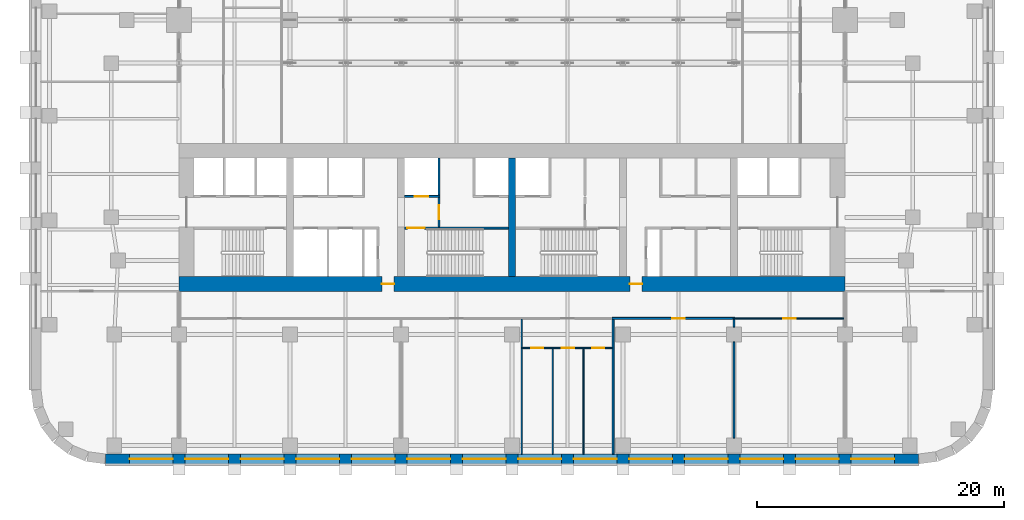
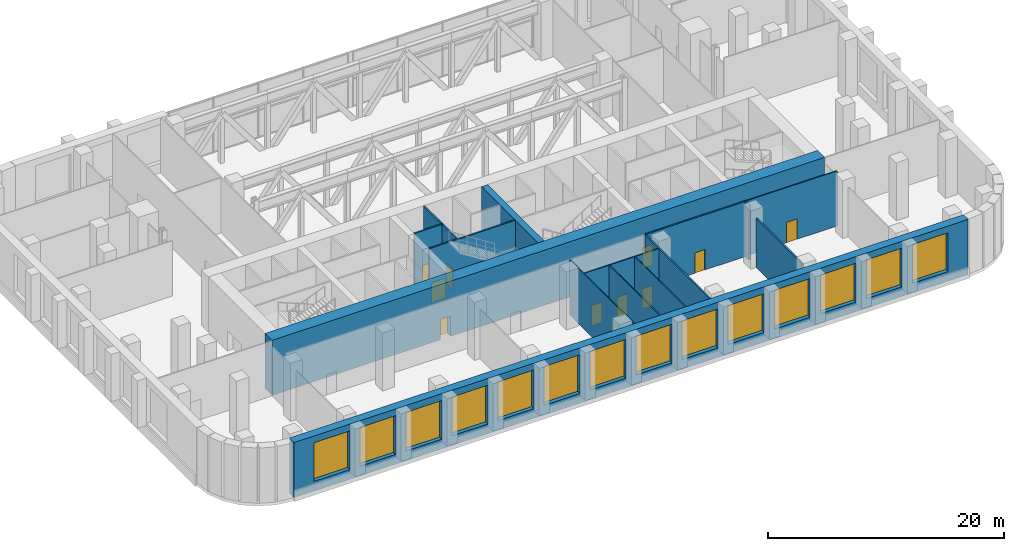
# One storey, part 6 of 13: 16 walls, 14 windows, 10 doors, 24 openings.
"""IFC4 building model written with IfcOpenShell, lengths in metres."""

from ifc_helpers import new_model, si_unit, direction, frame, frame_2d, origin, place, context, subcontext, project, spatial, rectangle, extrude, material, layer, layer_set, type_object, element, fill, save


model = new_model("IFC4")

# Units and contexts
model_context = context("Model", 3, precision=1e-05, world=origin(), true_north=direction((0.0, 1.0)))
body_context = subcontext(model_context, "Body", "Model", "MODEL_VIEW")
ifc_project = project(units=[si_unit("LENGTHUNIT", "METRE"), si_unit("AREAUNIT", "SQUARE_METRE"), si_unit("VOLUMEUNIT", "CUBIC_METRE"), si_unit("PLANEANGLEUNIT", "RADIAN"), si_unit("MASSUNIT", "GRAM", prefix="KILO")], contexts=[model_context])

# Site, building, storey
site_placement = place(None, origin())
site = spatial("IfcSite", under=ifc_project, at=site_placement, CompositionType="ELEMENT")
building_placement = place(site_placement, origin())
building = spatial("IfcBuilding", under=site, at=building_placement, Name="Zellij Exchange Tower", CompositionType="ELEMENT")
storey_placement = place(building_placement, frame((0.0, 0.0, 27.0)))
storey = spatial("IfcBuildingStorey", under=building, at=storey_placement, Name="L04", CompositionType="ELEMENT", Elevation=27.0)

# Wall
ifc_material_1 = material(Name="Concrete C70/85", Category="concrete")
ifc_layer_1 = layer(ifc_material_1, 0.60009765625)
ifc_layer_set_1 = layer_set([ifc_layer_1], Name="Concrete C70/85")
wall_type_1 = type_object("IfcWallType", Name="CORE-CW 600 C70/85", PredefinedType="SHEAR", material=ifc_layer_set_1)
wall_1_placement = place(storey_placement, frame((0.0, -12.800048828125, 0.0), z_axis=(0.0, 0.0, 1.0), x_axis=(0.0, 1.0, 0.0)))
element("IfcWall", 1, at=wall_1_placement, inside=storey, type_object=wall_type_1, Name="Core cross wall x 0 L04", PredefinedType="SHEAR", context=body_context, shape_type="SweptSolid", body=[
    extrude(rectangle(XDim=9.60009765625, YDim=0.60009765625, at=frame_2d((4.800048828125, 0.0))), origin(), (0.0, 0.0, 1.0), 5.699951171875),
])

# Wall, opening, door
ifc_material_2 = material(Name="Gypsum shaft wall system")
ifc_layer_2 = layer(ifc_material_2, 0.14990234375)
ifc_layer_set_2 = layer_set([ifc_layer_2], Name="Gypsum shaft wall system")
wall_type_2 = type_object("IfcWallType", Name="CORE-PW 150 Firefighting lobby wall", PredefinedType="PARTITIONING", material=ifc_layer_set_2)
wall_2_placement = place(storey_placement, frame((-5.925048828125, -8.800048828125, 0.0), z_axis=(0.0, 0.0, 1.0), x_axis=(0.0, 1.0, 0.0)))
wall_2 = element("IfcWall", 2, at=wall_2_placement, inside=storey, type_object=wall_type_2, Name="Firefighting lobby wall L04", PredefinedType="PARTITIONING", context=body_context, shape_type="SweptSolid", body=[
    extrude(rectangle(XDim=2.425048828125, YDim=0.14990234375, at=frame_2d((1.21240234375, 0.0))), origin(), (0.0, 0.0, 1.0), 5.699951171875),
])
opening_1_placement = place(wall_2_placement, frame((0.662109375, 0.0, 0.0)))
opening_1 = element("IfcOpeningElement", 3, at=opening_1_placement, cuts=wall_2, Name="Opening CA-05.14", PredefinedType="OPENING", context=body_context, shape_type="SweptSolid", body=[
    extrude(rectangle(XDim=1.10009765625, YDim=2.10009765625, at=frame_2d((0.550048828125, 1.050048828125))), frame((0.0, 0.0869140625, 0.0), z_axis=(0.0, -1.0, 0.0), x_axis=(1.0, 0.0, 0.0)), (0.0, 0.0, 1.0), 0.173828125),
])
ifc_material_3 = material(Name="Hollow metal fire door")
door_type_1 = type_object("IfcDoorType", Name="CORE-D F Firefighting lobby door 1100x2100 1 HR", OperationType="NOTDEFINED", PredefinedType="DOOR", material=ifc_material_3)
door_1_placement = place(opening_1_placement, origin())
door_1 = element("IfcDoor", 4, at=door_1_placement, inside=storey, type_object=door_type_1, Name="Firefighting lobby door CA-05.14", OperationType="SINGLE_SWING_LEFT", OverallHeight=2.10009765625, OverallWidth=1.10009765625, PredefinedType="DOOR", context=body_context, shape_type="SweptSolid", body=[
    extrude(rectangle(XDim=1.10009765625, YDim=2.10009765625, at=frame_2d((0.550048828125, 1.050048828125))), frame((0.0, 0.02490234375, 0.0), z_axis=(0.0, -1.0, 0.0), x_axis=(1.0, 0.0, 0.0)), (0.0, 0.0, 1.0), 0.050048828125),
])
fill(opening_1, door_1)

# Wall
ifc_layer_3 = layer(ifc_material_2, 0.14990234375)
ifc_layer_set_3 = layer_set([ifc_layer_3], Name="Gypsum shaft wall system")
wall_type_3 = type_object("IfcWallType", Name="CORE-PW 150 Lift shaft wall", PredefinedType="PARTITIONING", material=ifc_layer_set_3)
wall_3_placement = place(storey_placement, frame((-5.925048828125, -6.22509765625, 0.0), z_axis=(0.0, 0.0, 1.0), x_axis=(0.0, 1.0, 0.0)))
element("IfcWall", 5, at=wall_3_placement, inside=storey, type_object=wall_type_3, Name="Lift shaft wall L04", PredefinedType="PARTITIONING", context=body_context, shape_type="SweptSolid", body=[
    extrude(rectangle(XDim=3.025146484375, YDim=0.14990234375, at=frame_2d((1.5126953125, 0.0))), origin(), (0.0, 0.0, 1.0), 5.699951171875),
])

# Wall, opening, door
wall_4_placement = place(storey_placement, frame((-8.699951171875, -6.300048828125, 0.0), z_axis=(0.0, 0.0, 1.0), x_axis=(1.0, 0.0, 0.0)))
wall_4 = element("IfcWall", 6, at=wall_4_placement, inside=storey, type_object=wall_type_3, Name="Lift shaft wall L04", PredefinedType="PARTITIONING", context=body_context, shape_type="SweptSolid", body=[
    extrude(rectangle(XDim=2.849853515625, YDim=0.14990234375, at=frame_2d((1.4248046875, 0.0))), origin(), (0.0, 0.0, 1.0), 5.699951171875),
])
opening_2_placement = place(wall_4_placement, frame((0.800048828125, 0.0, 0.0)))
opening_2 = element("IfcOpeningElement", 7, at=opening_2_placement, cuts=wall_4, Name="Opening CA-05.13", PredefinedType="OPENING", context=body_context, shape_type="SweptSolid", body=[
    extrude(rectangle(XDim=1.10009765625, YDim=2.10009765625, at=frame_2d((0.550048828125, 1.050048828125))), frame((0.0, 0.0869140625, 0.0), z_axis=(0.0, -1.0, 0.0), x_axis=(1.0, 0.0, 0.0)), (0.0, 0.0, 1.0), 0.173828125),
])
door_type_2 = type_object("IfcDoorType", Name="CORE-D LD Lift landing door 1100x2100 1.5 HR", OperationType="NOTDEFINED", PredefinedType="DOOR", material=ifc_material_3)
door_2_placement = place(opening_2_placement, origin())
door_2 = element("IfcDoor", 8, at=door_2_placement, inside=storey, type_object=door_type_2, Name="Lift landing door CA-05.13", OperationType="SLIDING_TO_LEFT", OverallHeight=2.10009765625, OverallWidth=1.10009765625, PredefinedType="DOOR", context=body_context, shape_type="SweptSolid", body=[
    extrude(rectangle(XDim=1.10009765625, YDim=2.10009765625, at=frame_2d((0.550048828125, 1.050048828125))), frame((0.0, 0.02490234375, 0.0), z_axis=(0.0, -1.0, 0.0), x_axis=(1.0, 0.0, 0.0)), (0.0, 0.0, 1.0), 0.050048828125),
])
fill(opening_2, door_2)

# Wall, openings, doors
ifc_layer_4 = layer(ifc_material_1, 1.199951171875)
ifc_layer_set_4 = layer_set([ifc_layer_4], Name="Concrete C70/85")
wall_type_4 = type_object("IfcWallType", Name="CORE-SW 1200 C70/85", PredefinedType="SHEAR", material=ifc_layer_set_4)
wall_5_placement = place(storey_placement, frame((-27.0, -13.39990234375, 0.0), z_axis=(0.0, 0.0, 1.0), x_axis=(1.0, 0.0, 0.0)))
wall_5 = element("IfcWall", 9, at=wall_5_placement, inside=storey, type_object=wall_type_4, Name="Core shear wall rear L04", PredefinedType="SHEAR", context=body_context, shape_type="SweptSolid", body=[
    extrude(rectangle(XDim=54.0, YDim=1.199951171875, at=frame_2d((27.0, 0.0))), origin(), (0.0, 0.0, 1.0), 5.699951171875),
])
opening_3_placement = place(wall_5_placement, frame((16.449951171875, 0.0, 0.0)))
opening_3 = element("IfcOpeningElement", 10, at=opening_3_placement, cuts=wall_5, Name="Opening CA-05.11", PredefinedType="OPENING", context=body_context, shape_type="SweptSolid", body=[
    extrude(rectangle(XDim=1.0, YDim=2.10009765625, at=frame_2d((0.5, 1.050048828125))), frame((0.0, 0.61181640625, 0.0), z_axis=(0.0, -1.0, 0.0), x_axis=(1.0, 0.0, 0.0)), (0.0, 0.0, 1.0), 1.223876953125),
])
opening_4_placement = place(wall_5_placement, frame((36.550048828125, 0.0, 0.0)))
opening_4 = element("IfcOpeningElement", 11, at=opening_4_placement, cuts=wall_5, Name="Opening CA-05.19", PredefinedType="OPENING", context=body_context, shape_type="SweptSolid", body=[
    extrude(rectangle(XDim=1.0, YDim=2.10009765625, at=frame_2d((0.5, 1.050048828125))), frame((0.0, 0.61181640625, 0.0), z_axis=(0.0, -1.0, 0.0), x_axis=(1.0, 0.0, 0.0)), (0.0, 0.0, 1.0), 1.223876953125),
])
door_type_3 = type_object("IfcDoorType", Name="CORE-D CR Core rear door 1000x2100 20 MIN", OperationType="NOTDEFINED", PredefinedType="DOOR", material=ifc_material_3)
door_3_placement = place(opening_3_placement, origin())
door_3 = element("IfcDoor", 12, at=door_3_placement, inside=storey, type_object=door_type_3, Name="Core rear door CA-05.11", OperationType="SINGLE_SWING_RIGHT", OverallHeight=2.10009765625, OverallWidth=1.0, PredefinedType="DOOR", context=body_context, shape_type="SweptSolid", body=[
    extrude(rectangle(XDim=1.0, YDim=2.10009765625, at=frame_2d((0.5, 1.050048828125))), frame((0.0, 0.02490234375, 0.0), z_axis=(0.0, -1.0, 0.0), x_axis=(1.0, 0.0, 0.0)), (0.0, 0.0, 1.0), 0.050048828125),
])
fill(opening_3, door_3)
door_4_placement = place(opening_4_placement, origin())
door_4 = element("IfcDoor", 13, at=door_4_placement, inside=storey, type_object=door_type_3, Name="Core rear door CA-05.19", OperationType="SINGLE_SWING_LEFT", OverallHeight=2.10009765625, OverallWidth=1.0, PredefinedType="DOOR", context=body_context, shape_type="SweptSolid", body=[
    extrude(rectangle(XDim=1.0, YDim=2.10009765625, at=frame_2d((0.5, 1.050048828125))), frame((0.0, 0.02490234375, 0.0), z_axis=(0.0, -1.0, 0.0), x_axis=(1.0, 0.0, 0.0)), (0.0, 0.0, 1.0), 0.050048828125),
])
fill(opening_4, door_4)

# Wall, opening, door
ifc_layer_5 = layer(ifc_material_1, 0.14990234375)
ifc_layer_set_5 = layer_set([ifc_layer_5], Name="Concrete C70/85")
wall_type_5 = type_object("IfcWallType", Name="CORE-SWS 150 C70/85", PredefinedType="SHEAR", material=ifc_layer_set_5)
wall_6_placement = place(storey_placement, frame((-8.699951171875, -8.875, 0.0), z_axis=(0.0, 0.0, 1.0), x_axis=(1.0, 0.0, 0.0)))
wall_6 = element("IfcWall", 14, at=wall_6_placement, inside=storey, type_object=wall_type_5, Name="Stair enclosure wall L04", PredefinedType="SHEAR", context=body_context, shape_type="SweptSolid", body=[
    extrude(rectangle(XDim=8.39990234375, YDim=0.14990234375, at=frame_2d((4.199951171875, 0.0))), origin(), (0.0, 0.0, 1.0), 5.699951171875),
])
opening_5_placement = place(wall_6_placement, frame((0.22509765625, 0.0, 0.0)))
opening_5 = element("IfcOpeningElement", 15, at=opening_5_placement, cuts=wall_6, Name="Opening CA-05.12", PredefinedType="OPENING", context=body_context, shape_type="SweptSolid", body=[
    extrude(rectangle(XDim=1.39990234375, YDim=2.10009765625, at=frame_2d((0.699951171875, 1.050048828125))), frame((0.0, 0.0869140625, 0.0), z_axis=(0.0, -1.0, 0.0), x_axis=(1.0, 0.0, 0.0)), (0.0, 0.0, 1.0), 0.173828125),
])
door_type_4 = type_object("IfcDoorType", Name="CORE-D SD Stair door 1400x2100 1.5 HR", OperationType="NOTDEFINED", PredefinedType="DOOR", material=ifc_material_3)
door_5_placement = place(opening_5_placement, origin())
door_5 = element("IfcDoor", 16, at=door_5_placement, inside=storey, type_object=door_type_4, Name="Stair door CA-05.12", OperationType="DOUBLE_DOOR_SINGLE_SWING", OverallHeight=2.10009765625, OverallWidth=1.39990234375, PredefinedType="DOOR", context=body_context, shape_type="SweptSolid", body=[
    extrude(rectangle(XDim=1.39990234375, YDim=2.10009765625, at=frame_2d((0.699951171875, 1.050048828125))), frame((0.0, 0.02490234375, 0.0), z_axis=(0.0, -1.0, 0.0), x_axis=(1.0, 0.0, 0.0)), (0.0, 0.0, 1.0), 0.050048828125),
])
fill(opening_5, door_5)

# Wall, openings, windows
ifc_material_4 = material(Name="Precast concrete C40/50", Category="concrete")
ifc_layer_6 = layer(ifc_material_4, 0.800048828125)
ifc_layer_set_6 = layer_set([ifc_layer_6], Name="Precast concrete C40/50")
wall_type_6 = type_object("IfcWallType", Name="ENV-EW1 Precast stone-piered wall 800", PredefinedType="SOLIDWALL", material=ifc_layer_set_6)
wall_7_placement = place(storey_placement, frame((-32.947509765625, -27.60009765625, 0.0), z_axis=(0.0, 0.0, 1.0), x_axis=(1.0, 0.0, 0.0)))
wall_7 = element("IfcWall", 17, at=wall_7_placement, inside=storey, type_object=wall_type_6, Name="fac.L04.00", PredefinedType="SOLIDWALL", context=body_context, shape_type="SweptSolid", body=[
    extrude(rectangle(XDim=65.89501953125, YDim=0.800048828125, at=frame_2d((32.947509765625, 0.0))), origin(), (0.0, 0.0, 1.0), 5.699951171875),
])
opening_6_placement = place(wall_7_placement, frame((1.947509765625, 0.0, 1.0)))
opening_6 = element("IfcOpeningElement", 18, at=opening_6_placement, cuts=wall_7, Name="Opening FP.01", PredefinedType="OPENING", context=body_context, shape_type="SweptSolid", body=[
    extrude(rectangle(XDim=3.5, YDim=4.0, at=frame_2d((1.75, 2.0))), frame((0.0, 0.412109375, 0.0), z_axis=(0.0, -1.0, 0.0), x_axis=(1.0, 0.0, 0.0)), (0.0, 0.0, 1.0), 0.823974609375),
])
opening_7_placement = place(wall_7_placement, frame((6.447509765625, 0.0, 1.0)))
opening_7 = element("IfcOpeningElement", 19, at=opening_7_placement, cuts=wall_7, Name="Opening FP.02", PredefinedType="OPENING", context=body_context, shape_type="SweptSolid", body=[
    extrude(rectangle(XDim=3.5, YDim=4.0, at=frame_2d((1.75, 2.0))), frame((0.0, 0.412109375, 0.0), z_axis=(0.0, -1.0, 0.0), x_axis=(1.0, 0.0, 0.0)), (0.0, 0.0, 1.0), 0.823974609375),
])
opening_8_placement = place(wall_7_placement, frame((10.947509765625, 0.0, 1.0)))
opening_8 = element("IfcOpeningElement", 20, at=opening_8_placement, cuts=wall_7, Name="Opening FP.03", PredefinedType="OPENING", context=body_context, shape_type="SweptSolid", body=[
    extrude(rectangle(XDim=3.5, YDim=4.0, at=frame_2d((1.75, 2.0))), frame((0.0, 0.412109375, 0.0), z_axis=(0.0, -1.0, 0.0), x_axis=(1.0, 0.0, 0.0)), (0.0, 0.0, 1.0), 0.823974609375),
])
opening_9_placement = place(wall_7_placement, frame((15.447509765625, 0.0, 1.0)))
opening_9 = element("IfcOpeningElement", 21, at=opening_9_placement, cuts=wall_7, Name="Opening FP.04", PredefinedType="OPENING", context=body_context, shape_type="SweptSolid", body=[
    extrude(rectangle(XDim=3.5, YDim=4.0, at=frame_2d((1.75, 2.0))), frame((0.0, 0.412109375, 0.0), z_axis=(0.0, -1.0, 0.0), x_axis=(1.0, 0.0, 0.0)), (0.0, 0.0, 1.0), 0.823974609375),
])
opening_10_placement = place(wall_7_placement, frame((19.947509765625, 0.0, 1.0)))
opening_10 = element("IfcOpeningElement", 22, at=opening_10_placement, cuts=wall_7, Name="Opening FP.05", PredefinedType="OPENING", context=body_context, shape_type="SweptSolid", body=[
    extrude(rectangle(XDim=3.5, YDim=4.0, at=frame_2d((1.75, 2.0))), frame((0.0, 0.412109375, 0.0), z_axis=(0.0, -1.0, 0.0), x_axis=(1.0, 0.0, 0.0)), (0.0, 0.0, 1.0), 0.823974609375),
])
opening_11_placement = place(wall_7_placement, frame((24.447509765625, 0.0, 1.0)))
opening_11 = element("IfcOpeningElement", 23, at=opening_11_placement, cuts=wall_7, Name="Opening FP.06", PredefinedType="OPENING", context=body_context, shape_type="SweptSolid", body=[
    extrude(rectangle(XDim=3.5, YDim=4.0, at=frame_2d((1.75, 2.0))), frame((0.0, 0.412109375, 0.0), z_axis=(0.0, -1.0, 0.0), x_axis=(1.0, 0.0, 0.0)), (0.0, 0.0, 1.0), 0.823974609375),
])
opening_12_placement = place(wall_7_placement, frame((28.947509765625, 0.0, 1.0)))
opening_12 = element("IfcOpeningElement", 24, at=opening_12_placement, cuts=wall_7, Name="Opening FP.07", PredefinedType="OPENING", context=body_context, shape_type="SweptSolid", body=[
    extrude(rectangle(XDim=3.5, YDim=4.0, at=frame_2d((1.75, 2.0))), frame((0.0, 0.412109375, 0.0), z_axis=(0.0, -1.0, 0.0), x_axis=(1.0, 0.0, 0.0)), (0.0, 0.0, 1.0), 0.823974609375),
])
opening_13_placement = place(wall_7_placement, frame((33.447509765625, 0.0, 1.0)))
opening_13 = element("IfcOpeningElement", 25, at=opening_13_placement, cuts=wall_7, Name="Opening FP.08", PredefinedType="OPENING", context=body_context, shape_type="SweptSolid", body=[
    extrude(rectangle(XDim=3.5, YDim=4.0, at=frame_2d((1.75, 2.0))), frame((0.0, 0.412109375, 0.0), z_axis=(0.0, -1.0, 0.0), x_axis=(1.0, 0.0, 0.0)), (0.0, 0.0, 1.0), 0.823974609375),
])
opening_14_placement = place(wall_7_placement, frame((37.947509765625, 0.0, 1.0)))
opening_14 = element("IfcOpeningElement", 26, at=opening_14_placement, cuts=wall_7, Name="Opening FP.09", PredefinedType="OPENING", context=body_context, shape_type="SweptSolid", body=[
    extrude(rectangle(XDim=3.5, YDim=4.0, at=frame_2d((1.75, 2.0))), frame((0.0, 0.412109375, 0.0), z_axis=(0.0, -1.0, 0.0), x_axis=(1.0, 0.0, 0.0)), (0.0, 0.0, 1.0), 0.823974609375),
])
opening_15_placement = place(wall_7_placement, frame((42.447509765625, 0.0, 1.0)))
opening_15 = element("IfcOpeningElement", 27, at=opening_15_placement, cuts=wall_7, Name="Opening FP.10", PredefinedType="OPENING", context=body_context, shape_type="SweptSolid", body=[
    extrude(rectangle(XDim=3.5, YDim=4.0, at=frame_2d((1.75, 2.0))), frame((0.0, 0.412109375, 0.0), z_axis=(0.0, -1.0, 0.0), x_axis=(1.0, 0.0, 0.0)), (0.0, 0.0, 1.0), 0.823974609375),
])
opening_16_placement = place(wall_7_placement, frame((46.947509765625, 0.0, 1.0)))
opening_16 = element("IfcOpeningElement", 28, at=opening_16_placement, cuts=wall_7, Name="Opening FP.11", PredefinedType="OPENING", context=body_context, shape_type="SweptSolid", body=[
    extrude(rectangle(XDim=3.5, YDim=4.0, at=frame_2d((1.75, 2.0))), frame((0.0, 0.412109375, 0.0), z_axis=(0.0, -1.0, 0.0), x_axis=(1.0, 0.0, 0.0)), (0.0, 0.0, 1.0), 0.823974609375),
])
opening_17_placement = place(wall_7_placement, frame((51.447509765625, 0.0, 1.0)))
opening_17 = element("IfcOpeningElement", 29, at=opening_17_placement, cuts=wall_7, Name="Opening FP.12", PredefinedType="OPENING", context=body_context, shape_type="SweptSolid", body=[
    extrude(rectangle(XDim=3.5, YDim=4.0, at=frame_2d((1.75, 2.0))), frame((0.0, 0.412109375, 0.0), z_axis=(0.0, -1.0, 0.0), x_axis=(1.0, 0.0, 0.0)), (0.0, 0.0, 1.0), 0.823974609375),
])
opening_18_placement = place(wall_7_placement, frame((55.947509765625, 0.0, 1.0)))
opening_18 = element("IfcOpeningElement", 30, at=opening_18_placement, cuts=wall_7, Name="Opening FP.13", PredefinedType="OPENING", context=body_context, shape_type="SweptSolid", body=[
    extrude(rectangle(XDim=3.5, YDim=4.0, at=frame_2d((1.75, 2.0))), frame((0.0, 0.412109375, 0.0), z_axis=(0.0, -1.0, 0.0), x_axis=(1.0, 0.0, 0.0)), (0.0, 0.0, 1.0), 0.823974609375),
])
opening_19_placement = place(wall_7_placement, frame((60.447509765625, 0.0, 1.0)))
opening_19 = element("IfcOpeningElement", 31, at=opening_19_placement, cuts=wall_7, Name="Opening FP.14", PredefinedType="OPENING", context=body_context, shape_type="SweptSolid", body=[
    extrude(rectangle(XDim=3.5, YDim=4.0, at=frame_2d((1.75, 2.0))), frame((0.0, 0.412109375, 0.0), z_axis=(0.0, -1.0, 0.0), x_axis=(1.0, 0.0, 0.0)), (0.0, 0.0, 1.0), 0.823974609375),
])
ifc_material_5 = material(Name="Aluminium frame with insulating glass", Category="aluminium")
window_type = type_object("IfcWindowType", Name="ENV-W2 Window 3500x4000", PartitioningType="SINGLE_PANEL", PredefinedType="WINDOW", material=ifc_material_5)
window_1_placement = place(opening_6_placement, origin())
window_1 = element("IfcWindow", 32, at=window_1_placement, inside=storey, type_object=window_type, Name="Window FP.01", OverallHeight=4.0, OverallWidth=3.5, PartitioningType="SINGLE_PANEL", PredefinedType="WINDOW", context=body_context, shape_type="SweptSolid", body=[
    extrude(rectangle(XDim=3.5, YDim=4.0, at=frame_2d((1.75, 2.0))), frame((0.0, 0.030029296875, 0.0), z_axis=(0.0, -1.0, 0.0), x_axis=(1.0, 0.0, 0.0)), (0.0, 0.0, 1.0), 0.06005859375),
])
fill(opening_6, window_1)
window_2_placement = place(opening_7_placement, origin())
window_2 = element("IfcWindow", 33, at=window_2_placement, inside=storey, type_object=window_type, Name="Window FP.02", OverallHeight=4.0, OverallWidth=3.5, PartitioningType="SINGLE_PANEL", PredefinedType="WINDOW", context=body_context, shape_type="SweptSolid", body=[
    extrude(rectangle(XDim=3.5, YDim=4.0, at=frame_2d((1.75, 2.0))), frame((0.0, 0.030029296875, 0.0), z_axis=(0.0, -1.0, 0.0), x_axis=(1.0, 0.0, 0.0)), (0.0, 0.0, 1.0), 0.06005859375),
])
fill(opening_7, window_2)
window_3_placement = place(opening_8_placement, origin())
window_3 = element("IfcWindow", 34, at=window_3_placement, inside=storey, type_object=window_type, Name="Window FP.03", OverallHeight=4.0, OverallWidth=3.5, PartitioningType="SINGLE_PANEL", PredefinedType="WINDOW", context=body_context, shape_type="SweptSolid", body=[
    extrude(rectangle(XDim=3.5, YDim=4.0, at=frame_2d((1.75, 2.0))), frame((0.0, 0.030029296875, 0.0), z_axis=(0.0, -1.0, 0.0), x_axis=(1.0, 0.0, 0.0)), (0.0, 0.0, 1.0), 0.06005859375),
])
fill(opening_8, window_3)
window_4_placement = place(opening_9_placement, origin())
window_4 = element("IfcWindow", 35, at=window_4_placement, inside=storey, type_object=window_type, Name="Window FP.04", OverallHeight=4.0, OverallWidth=3.5, PartitioningType="SINGLE_PANEL", PredefinedType="WINDOW", context=body_context, shape_type="SweptSolid", body=[
    extrude(rectangle(XDim=3.5, YDim=4.0, at=frame_2d((1.75, 2.0))), frame((0.0, 0.030029296875, 0.0), z_axis=(0.0, -1.0, 0.0), x_axis=(1.0, 0.0, 0.0)), (0.0, 0.0, 1.0), 0.06005859375),
])
fill(opening_9, window_4)
window_5_placement = place(opening_10_placement, origin())
window_5 = element("IfcWindow", 36, at=window_5_placement, inside=storey, type_object=window_type, Name="Window FP.05", OverallHeight=4.0, OverallWidth=3.5, PartitioningType="SINGLE_PANEL", PredefinedType="WINDOW", context=body_context, shape_type="SweptSolid", body=[
    extrude(rectangle(XDim=3.5, YDim=4.0, at=frame_2d((1.75, 2.0))), frame((0.0, 0.030029296875, 0.0), z_axis=(0.0, -1.0, 0.0), x_axis=(1.0, 0.0, 0.0)), (0.0, 0.0, 1.0), 0.06005859375),
])
fill(opening_10, window_5)
window_6_placement = place(opening_11_placement, origin())
window_6 = element("IfcWindow", 37, at=window_6_placement, inside=storey, type_object=window_type, Name="Window FP.06", OverallHeight=4.0, OverallWidth=3.5, PartitioningType="SINGLE_PANEL", PredefinedType="WINDOW", context=body_context, shape_type="SweptSolid", body=[
    extrude(rectangle(XDim=3.5, YDim=4.0, at=frame_2d((1.75, 2.0))), frame((0.0, 0.030029296875, 0.0), z_axis=(0.0, -1.0, 0.0), x_axis=(1.0, 0.0, 0.0)), (0.0, 0.0, 1.0), 0.06005859375),
])
fill(opening_11, window_6)
window_7_placement = place(opening_12_placement, origin())
window_7 = element("IfcWindow", 38, at=window_7_placement, inside=storey, type_object=window_type, Name="Window FP.07", OverallHeight=4.0, OverallWidth=3.5, PartitioningType="SINGLE_PANEL", PredefinedType="WINDOW", context=body_context, shape_type="SweptSolid", body=[
    extrude(rectangle(XDim=3.5, YDim=4.0, at=frame_2d((1.75, 2.0))), frame((0.0, 0.030029296875, 0.0), z_axis=(0.0, -1.0, 0.0), x_axis=(1.0, 0.0, 0.0)), (0.0, 0.0, 1.0), 0.06005859375),
])
fill(opening_12, window_7)
window_8_placement = place(opening_13_placement, origin())
window_8 = element("IfcWindow", 39, at=window_8_placement, inside=storey, type_object=window_type, Name="Window FP.08", OverallHeight=4.0, OverallWidth=3.5, PartitioningType="SINGLE_PANEL", PredefinedType="WINDOW", context=body_context, shape_type="SweptSolid", body=[
    extrude(rectangle(XDim=3.5, YDim=4.0, at=frame_2d((1.75, 2.0))), frame((0.0, 0.030029296875, 0.0), z_axis=(0.0, -1.0, 0.0), x_axis=(1.0, 0.0, 0.0)), (0.0, 0.0, 1.0), 0.06005859375),
])
fill(opening_13, window_8)
window_9_placement = place(opening_14_placement, origin())
window_9 = element("IfcWindow", 40, at=window_9_placement, inside=storey, type_object=window_type, Name="Window FP.09", OverallHeight=4.0, OverallWidth=3.5, PartitioningType="SINGLE_PANEL", PredefinedType="WINDOW", context=body_context, shape_type="SweptSolid", body=[
    extrude(rectangle(XDim=3.5, YDim=4.0, at=frame_2d((1.75, 2.0))), frame((0.0, 0.030029296875, 0.0), z_axis=(0.0, -1.0, 0.0), x_axis=(1.0, 0.0, 0.0)), (0.0, 0.0, 1.0), 0.06005859375),
])
fill(opening_14, window_9)
window_10_placement = place(opening_15_placement, origin())
window_10 = element("IfcWindow", 41, at=window_10_placement, inside=storey, type_object=window_type, Name="Window FP.10", OverallHeight=4.0, OverallWidth=3.5, PartitioningType="SINGLE_PANEL", PredefinedType="WINDOW", context=body_context, shape_type="SweptSolid", body=[
    extrude(rectangle(XDim=3.5, YDim=4.0, at=frame_2d((1.75, 2.0))), frame((0.0, 0.030029296875, 0.0), z_axis=(0.0, -1.0, 0.0), x_axis=(1.0, 0.0, 0.0)), (0.0, 0.0, 1.0), 0.06005859375),
])
fill(opening_15, window_10)
window_11_placement = place(opening_16_placement, origin())
window_11 = element("IfcWindow", 42, at=window_11_placement, inside=storey, type_object=window_type, Name="Window FP.11", OverallHeight=4.0, OverallWidth=3.5, PartitioningType="SINGLE_PANEL", PredefinedType="WINDOW", context=body_context, shape_type="SweptSolid", body=[
    extrude(rectangle(XDim=3.5, YDim=4.0, at=frame_2d((1.75, 2.0))), frame((0.0, 0.030029296875, 0.0), z_axis=(0.0, -1.0, 0.0), x_axis=(1.0, 0.0, 0.0)), (0.0, 0.0, 1.0), 0.06005859375),
])
fill(opening_16, window_11)
window_12_placement = place(opening_17_placement, origin())
window_12 = element("IfcWindow", 43, at=window_12_placement, inside=storey, type_object=window_type, Name="Window FP.12", OverallHeight=4.0, OverallWidth=3.5, PartitioningType="SINGLE_PANEL", PredefinedType="WINDOW", context=body_context, shape_type="SweptSolid", body=[
    extrude(rectangle(XDim=3.5, YDim=4.0, at=frame_2d((1.75, 2.0))), frame((0.0, 0.030029296875, 0.0), z_axis=(0.0, -1.0, 0.0), x_axis=(1.0, 0.0, 0.0)), (0.0, 0.0, 1.0), 0.06005859375),
])
fill(opening_17, window_12)
window_13_placement = place(opening_18_placement, origin())
window_13 = element("IfcWindow", 44, at=window_13_placement, inside=storey, type_object=window_type, Name="Window FP.13", OverallHeight=4.0, OverallWidth=3.5, PartitioningType="SINGLE_PANEL", PredefinedType="WINDOW", context=body_context, shape_type="SweptSolid", body=[
    extrude(rectangle(XDim=3.5, YDim=4.0, at=frame_2d((1.75, 2.0))), frame((0.0, 0.030029296875, 0.0), z_axis=(0.0, -1.0, 0.0), x_axis=(1.0, 0.0, 0.0)), (0.0, 0.0, 1.0), 0.06005859375),
])
fill(opening_18, window_13)
window_14_placement = place(opening_19_placement, origin())
window_14 = element("IfcWindow", 45, at=window_14_placement, inside=storey, type_object=window_type, Name="Window FP.14", OverallHeight=4.0, OverallWidth=3.5, PartitioningType="SINGLE_PANEL", PredefinedType="WINDOW", context=body_context, shape_type="SweptSolid", body=[
    extrude(rectangle(XDim=3.5, YDim=4.0, at=frame_2d((1.75, 2.0))), frame((0.0, 0.030029296875, 0.0), z_axis=(0.0, -1.0, 0.0), x_axis=(1.0, 0.0, 0.0)), (0.0, 0.0, 1.0), 0.06005859375),
])
fill(opening_19, window_14)

# Walls
ifc_material_6 = material(Name="Gypsum board partition on steel studs", Category="steel")
ifc_layer_7 = layer(ifc_material_6, 0.10009765625)
ifc_layer_set_7 = layer_set([ifc_layer_7], Name="Gypsum board partition on steel studs")
wall_type_7 = type_object("IfcWallType", Name="FIT-PARTITION-100", PredefinedType="PARTITIONING", material=ifc_layer_set_7)
wall_8_placement = place(storey_placement, frame((0.800048828125, -27.199951171875, 0.0), z_axis=(0.0, 0.0, 1.0), x_axis=(0.0, 1.0, 0.0)))
element("IfcWall", 46, at=wall_8_placement, inside=storey, type_object=wall_type_7, Name="FIT-PARTITION-100 005", PredefinedType="PARTITIONING", context=body_context, shape_type="SweptSolid", body=[
    extrude(rectangle(XDim=10.949951171875, YDim=0.10009765625, at=frame_2d((5.47509765625, 0.0))), origin(), (0.0, 0.0, 1.0), 5.699951171875),
])
for number, where, z_axis, x_axis, name in (
    (47, (3.300048828125, -27.199951171875, 0.0), (0.0, 0.0, 1.0), (0.0, 1.0, 0.0), "FIT-PARTITION-100 006"),
    (48, (5.800048828125, -27.199951171875, 0.0), (0.0, 0.0, 1.0), (0.0, 1.0, 0.0), "FIT-PARTITION-100 007"),
):
    element("IfcWall", number, at=place(storey_placement, frame(where, z_axis=z_axis, x_axis=x_axis)), inside=storey, type_object=wall_type_7, Name=name, PredefinedType="PARTITIONING", context=body_context, shape_type="SweptSolid", body=[
        extrude(rectangle(XDim=8.550048828125, YDim=0.10009765625, at=frame_2d((4.27490234375, 0.0))), origin(), (0.0, 0.0, 1.0), 5.699951171875),
    ])

# Wall, openings, doors
wall_9_placement = place(storey_placement, frame((0.85009765625, -18.60009765625, 0.0), z_axis=(0.0, 0.0, 1.0), x_axis=(1.0, 0.0, 0.0)))
wall_9 = element("IfcWall", 49, at=wall_9_placement, inside=storey, type_object=wall_type_7, Name="FIT-PARTITION-100 013", PredefinedType="PARTITIONING", context=body_context, shape_type="SweptSolid", body=[
    extrude(rectangle(XDim=7.27490234375, YDim=0.10009765625, at=frame_2d((3.637451171875, 0.0))), origin(), (0.0, 0.0, 1.0), 5.699951171875),
])
opening_20_placement = place(wall_9_placement, frame((0.699951171875, 0.0, 0.0)))
opening_20 = element("IfcOpeningElement", 50, at=opening_20_placement, cuts=wall_9, Name="Opening P4.01", PredefinedType="OPENING", context=body_context, shape_type="SweptSolid", body=[
    extrude(rectangle(XDim=1.0, YDim=2.10009765625, at=frame_2d((0.5, 1.050048828125))), frame((0.0, 0.06201171875, 0.0), z_axis=(0.0, -1.0, 0.0), x_axis=(1.0, 0.0, 0.0)), (0.0, 0.0, 1.0), 0.1240234375),
])
opening_21_placement = place(wall_9_placement, frame((3.199951171875, 0.0, 0.0)))
opening_21 = element("IfcOpeningElement", 51, at=opening_21_placement, cuts=wall_9, Name="Opening P4.02", PredefinedType="OPENING", context=body_context, shape_type="SweptSolid", body=[
    extrude(rectangle(XDim=1.0, YDim=2.10009765625, at=frame_2d((0.5, 1.050048828125))), frame((0.0, 0.06201171875, 0.0), z_axis=(0.0, -1.0, 0.0), x_axis=(1.0, 0.0, 0.0)), (0.0, 0.0, 1.0), 0.1240234375),
])
opening_22_placement = place(wall_9_placement, frame((5.64990234375, 0.0, 0.0)))
opening_22 = element("IfcOpeningElement", 52, at=opening_22_placement, cuts=wall_9, Name="Opening P4.03", PredefinedType="OPENING", context=body_context, shape_type="SweptSolid", body=[
    extrude(rectangle(XDim=1.0, YDim=2.10009765625, at=frame_2d((0.5, 1.050048828125))), frame((0.0, 0.06201171875, 0.0), z_axis=(0.0, -1.0, 0.0), x_axis=(1.0, 0.0, 0.0)), (0.0, 0.0, 1.0), 0.1240234375),
])
ifc_material_7 = material(Name="Timber door set", Category="wood")
door_type_5 = type_object("IfcDoorType", Name="FIT-D2-WIDE-1000X2100", OperationType="SINGLE_SWING_LEFT", PredefinedType="DOOR", material=ifc_material_7)
door_6_placement = place(opening_20_placement, origin())
door_6 = element("IfcDoor", 53, at=door_6_placement, inside=storey, type_object=door_type_5, Name="Door P4.01", OperationType="SINGLE_SWING_LEFT", OverallHeight=2.10009765625, OverallWidth=1.0, PredefinedType="DOOR", context=body_context, shape_type="SweptSolid", body=[
    extrude(rectangle(XDim=1.0, YDim=2.10009765625, at=frame_2d((0.5, 1.050048828125))), frame((0.0, 0.02490234375, 0.0), z_axis=(0.0, -1.0, 0.0), x_axis=(1.0, 0.0, 0.0)), (0.0, 0.0, 1.0), 0.050048828125),
])
fill(opening_20, door_6)
door_7_placement = place(opening_21_placement, origin())
door_7 = element("IfcDoor", 54, at=door_7_placement, inside=storey, type_object=door_type_5, Name="Door P4.02", OperationType="SINGLE_SWING_LEFT", OverallHeight=2.10009765625, OverallWidth=1.0, PredefinedType="DOOR", context=body_context, shape_type="SweptSolid", body=[
    extrude(rectangle(XDim=1.0, YDim=2.10009765625, at=frame_2d((0.5, 1.050048828125))), frame((0.0, 0.02490234375, 0.0), z_axis=(0.0, -1.0, 0.0), x_axis=(1.0, 0.0, 0.0)), (0.0, 0.0, 1.0), 0.050048828125),
])
fill(opening_21, door_7)
door_8_placement = place(opening_22_placement, origin())
door_8 = element("IfcDoor", 55, at=door_8_placement, inside=storey, type_object=door_type_5, Name="Door P4.03", OperationType="SINGLE_SWING_RIGHT", OverallHeight=2.10009765625, OverallWidth=1.0, PredefinedType="DOOR", context=body_context, shape_type="SweptSolid", body=[
    extrude(rectangle(XDim=1.0, YDim=2.10009765625, at=frame_2d((0.5, 1.050048828125))), frame((0.0, 0.02490234375, 0.0), z_axis=(0.0, -1.0, 0.0), x_axis=(1.0, 0.0, 0.0)), (0.0, 0.0, 1.0), 0.050048828125),
])
fill(opening_22, door_8)

# Wall, opening, door
wall_10_placement = place(storey_placement, frame((17.925048828125, -16.199951171875, 0.0), z_axis=(0.0, 0.0, 1.0), x_axis=(1.0, 0.0, 0.0)))
wall_10 = element("IfcWall", 56, at=wall_10_placement, inside=storey, type_object=wall_type_7, Name="FIT-PARTITION-100 016", PredefinedType="PARTITIONING", context=body_context, shape_type="SweptSolid", body=[
    extrude(rectangle(XDim=9.02490234375, YDim=0.10009765625, at=frame_2d((4.512451171875, 0.0))), origin(), (0.0, 0.0, 1.0), 5.699951171875),
])
opening_23_placement = place(wall_10_placement, frame((4.074951171875, 0.0, 0.0)))
opening_23 = element("IfcOpeningElement", 57, at=opening_23_placement, cuts=wall_10, Name="Opening P4.08", PredefinedType="OPENING", context=body_context, shape_type="SweptSolid", body=[
    extrude(rectangle(XDim=1.0, YDim=2.10009765625, at=frame_2d((0.5, 1.050048828125))), frame((0.0, 0.06201171875, 0.0), z_axis=(0.0, -1.0, 0.0), x_axis=(1.0, 0.0, 0.0)), (0.0, 0.0, 1.0), 0.1240234375),
])
door_9_placement = place(opening_23_placement, origin())
door_9 = element("IfcDoor", 58, at=door_9_placement, inside=storey, type_object=door_type_5, Name="Door P4.08", OperationType="SINGLE_SWING_RIGHT", OverallHeight=2.10009765625, OverallWidth=1.0, PredefinedType="DOOR", context=body_context, shape_type="SweptSolid", body=[
    extrude(rectangle(XDim=1.0, YDim=2.10009765625, at=frame_2d((0.5, 1.050048828125))), frame((0.0, 0.02490234375, 0.0), z_axis=(0.0, -1.0, 0.0), x_axis=(1.0, 0.0, 0.0)), (0.0, 0.0, 1.0), 0.050048828125),
])
fill(opening_23, door_9)

# Walls
ifc_material_8 = material(Name="Gypsum board shaft-wall partition", Category="gypsum")
ifc_layer_8 = layer(ifc_material_8, 0.14990234375)
ifc_layer_set_8 = layer_set([ifc_layer_8], Name="Gypsum board shaft-wall partition")
wall_type_8 = type_object("IfcWallType", Name="FIT-PARTITION-150-EI60", PredefinedType="PARTITIONING", material=ifc_layer_set_8)
wall_11_placement = place(storey_placement, frame((8.199951171875, -27.199951171875, 0.0), z_axis=(0.0, 0.0, 1.0), x_axis=(0.0, 1.0, 0.0)))
element("IfcWall", 59, at=wall_11_placement, inside=storey, type_object=wall_type_8, Name="FIT-PARTITION-150-EI60 008", PredefinedType="PARTITIONING", context=body_context, shape_type="SweptSolid", body=[
    extrude(rectangle(XDim=10.925048828125, YDim=0.14990234375, at=frame_2d((5.46240234375, 0.0))), origin(), (0.0, 0.0, 1.0), 5.699951171875),
])
wall_12_placement = place(storey_placement, frame((18.0, -25.89990234375, 0.0), z_axis=(0.0, 0.0, 1.0), x_axis=(0.0, 1.0, 0.0)))
element("IfcWall", 60, at=wall_12_placement, inside=storey, type_object=wall_type_8, Name="FIT-PARTITION-150-EI60 009", PredefinedType="PARTITIONING", context=body_context, shape_type="SweptSolid", body=[
    extrude(rectangle(XDim=7.7998046875, YDim=0.14990234375, at=frame_2d((3.89990234375, 0.0))), origin(), (0.0, 0.0, 1.0), 5.087890625),
])
wall_13_placement = place(storey_placement, frame((18.0, -16.89990234375, 0.0), z_axis=(0.0, 0.0, 1.0), x_axis=(0.0, 1.0, 0.0)))
element("IfcWall", 61, at=wall_13_placement, inside=storey, type_object=wall_type_8, Name="FIT-PARTITION-150-EI60 010", PredefinedType="PARTITIONING", context=body_context, shape_type="SweptSolid", body=[
    extrude(rectangle(XDim=0.625, YDim=0.14990234375, at=frame_2d((0.3125, 0.0))), origin(), (0.0, 0.0, 1.0), 5.699951171875),
])

# Wall, opening, door
wall_14_placement = place(storey_placement, frame((8.125, -16.199951171875, 0.0), z_axis=(0.0, 0.0, 1.0), x_axis=(1.0, 0.0, 0.0)))
wall_14 = element("IfcWall", 62, at=wall_14_placement, inside=storey, type_object=wall_type_8, Name="FIT-PARTITION-150-EI60 015", PredefinedType="PARTITIONING", context=body_context, shape_type="SweptSolid", body=[
    extrude(rectangle(XDim=9.949951171875, YDim=0.14990234375, at=frame_2d((4.97509765625, 0.0))), origin(), (0.0, 0.0, 1.0), 5.699951171875),
])
opening_24_placement = place(wall_14_placement, frame((4.875, 0.0, 0.0)))
opening_24 = element("IfcOpeningElement", 63, at=opening_24_placement, cuts=wall_14, Name="Opening P4.07", PredefinedType="OPENING", context=body_context, shape_type="SweptSolid", body=[
    extrude(rectangle(XDim=1.0, YDim=2.10009765625, at=frame_2d((0.5, 1.050048828125))), frame((0.0, 0.0869140625, 0.0), z_axis=(0.0, -1.0, 0.0), x_axis=(1.0, 0.0, 0.0)), (0.0, 0.0, 1.0), 0.173828125),
])
door_10_placement = place(opening_24_placement, origin())
door_10 = element("IfcDoor", 64, at=door_10_placement, inside=storey, type_object=door_type_5, Name="Door P4.07", OperationType="SINGLE_SWING_LEFT", OverallHeight=2.10009765625, OverallWidth=1.0, PredefinedType="DOOR", context=body_context, shape_type="SweptSolid", body=[
    extrude(rectangle(XDim=1.0, YDim=2.10009765625, at=frame_2d((0.5, 1.050048828125))), frame((0.0, 0.02490234375, 0.0), z_axis=(0.0, -1.0, 0.0), x_axis=(1.0, 0.0, 0.0)), (0.0, 0.0, 1.0), 0.050048828125),
])
fill(opening_24, door_10)

save(model, "model.ifc")
